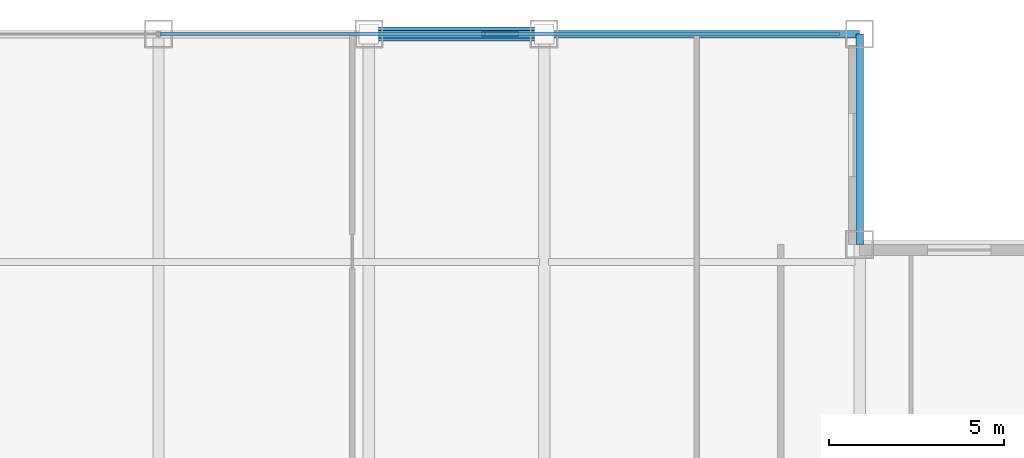
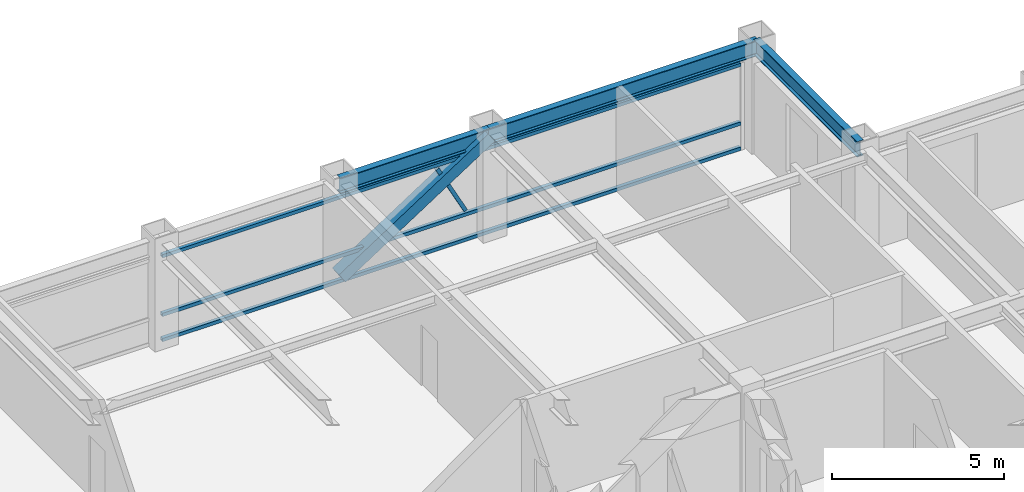
# One storey, part 21 of 28: 5 members, 3 beams, 1 element without a shape of its own.
"""IFC4 building model written with IfcOpenShell, lengths in metres."""

from ifc_helpers import new_model, si_unit, direction, frame, origin, origin_2d, place, context, subcontext, project, spatial, hollow_rectangle, i_section, extrude, source, transform, mapped, material, material_profile, profile_set, type_object, element, aggregate, save


model = new_model("IFC4")

# Units and contexts
model_context = context("Model", 3, precision=1e-05, world=origin(), true_north=direction((0.0, 1.0)))
body_context = subcontext(model_context, "Body", "Model", "MODEL_VIEW")
ifc_project = project(units=[si_unit("LENGTHUNIT", "METRE"), si_unit("AREAUNIT", "SQUARE_METRE"), si_unit("VOLUMEUNIT", "CUBIC_METRE"), si_unit("PLANEANGLEUNIT", "RADIAN"), si_unit("MASSUNIT", "GRAM", prefix="KILO")], contexts=[model_context])

# Site, building, storey
site_placement = place(None, origin())
site = spatial("IfcSite", under=ifc_project, at=site_placement, CompositionType="ELEMENT")
building_placement = place(site_placement, origin())
building = spatial("IfcBuilding", under=site, at=building_placement, Name="Khorayat Bourse Tower", CompositionType="ELEMENT")
storey_placement = place(building_placement, frame((0.0, 0.0, 330.300048828125)))
storey = spatial("IfcBuildingStorey", under=building, at=storey_placement, Name="L78", CompositionType="ELEMENT", Elevation=330.300048828125)

# Beams
ifc_material_1 = material(Name="Steel ASTM A992 Grade 50", Category="steel")
ifc_material_profile_1 = material_profile(ifc_material_1, i_section(OverallWidth=0.214111328125, OverallDepth=0.549072265625, WebThickness=0.0146484375, FlangeThickness=0.023681640625, FilletRadius=0.013916015625, at=origin_2d()), Name="W530X138")
ifc_profile_set_1 = profile_set([ifc_material_profile_1], Name="Steel ASTM A992 Grade 50")
beam_type = type_object("IfcBeamType", Name="BM-SPAN-530", PredefinedType="SPANDREL", material=ifc_profile_set_1)
shared_shape_1 = source(origin(), body_context, "Body", "SweptSolid", [
    extrude(i_section(OverallWidth=0.214111328125, OverallDepth=0.549072265625, WebThickness=0.0146484375, FlangeThickness=0.023681640625, FilletRadius=0.013916015625, at=origin_2d()), origin(), (0.0, 0.0, 1.0), 9.0),
])
beam_1_placement = place(storey_placement, frame((11.0, 26.0, 3.46533203125), z_axis=(1.0, 0.0, 0.0), x_axis=(0.0, 1.0, 0.0)))
element("IfcBeam", 1, at=beam_1_placement, inside=storey, type_object=beam_type, Name="L78 BM-SPAN-530 BM-L78-SPN-040", PredefinedType="SPANDREL", context=body_context, shape_type="MappedRepresentation", body=[
    mapped(shared_shape_1, transform((0.0, 0.0, 0.0), scale=1.0)),
])
shared_shape_2 = source(origin(), body_context, "Body", "SweptSolid", [
    extrude(i_section(OverallWidth=0.214111328125, OverallDepth=0.549072265625, WebThickness=0.0146484375, FlangeThickness=0.023681640625, FilletRadius=0.013916015625, at=origin_2d()), origin(), (0.0, 0.0, 1.0), 5.0),
])
beam_2_placement = place(storey_placement, frame((6.0, 26.0, 3.46533203125), z_axis=(1.0, 0.0, 0.0), x_axis=(0.0, 1.0, 0.0)))
element("IfcBeam", 2, at=beam_2_placement, inside=storey, type_object=beam_type, Name="L78 BM-SPAN-530 BM-L78-SPN-041", PredefinedType="SPANDREL", context=body_context, shape_type="MappedRepresentation", body=[
    mapped(shared_shape_2, transform((0.0, 0.0, 0.0), scale=1.0)),
])
shared_shape_3 = source(origin(), body_context, "Body", "SweptSolid", [
    extrude(i_section(OverallWidth=0.214111328125, OverallDepth=0.549072265625, WebThickness=0.0146484375, FlangeThickness=0.023681640625, FilletRadius=0.013916015625, at=origin_2d()), origin(), (0.0, 0.0, 1.0), 6.0),
])
beam_3_placement = place(storey_placement, frame((20.0, 20.0, 3.46533203125), z_axis=(0.0, 1.0, 0.0), x_axis=(-1.0, 0.0, 0.0)))
element("IfcBeam", 3, at=beam_3_placement, inside=storey, type_object=beam_type, Name="L78 BM-SPAN-530 BM-L78-SPN-039", PredefinedType="SPANDREL", context=body_context, shape_type="MappedRepresentation", body=[
    mapped(shared_shape_3, transform((0.0, 0.0, 0.0), scale=1.0)),
])

# Member
ifc_material_2 = material(Name="Steel EN 10025-4 S460M", Category="steel")
ifc_material_profile_2 = material_profile(ifc_material_2, hollow_rectangle(XDim=0.39990234375, YDim=0.39990234375, WallThickness=0.02197265625, at=origin_2d()), Name="HSS 400x400x22")
ifc_profile_set_2 = profile_set([ifc_material_profile_2], Name="Steel EN 10025-4 S460M")
member_type_1 = type_object("IfcMemberType", Name="MBR-TUBE-400", PredefinedType="BRACE", material=ifc_profile_set_2)
shared_shape_4 = source(origin(), body_context, "Body", "SweptSolid", [
    extrude(hollow_rectangle(XDim=0.39990234375, YDim=0.39990234375, WallThickness=0.02197265625, at=origin_2d()), origin(), (0.0, 0.0, 1.0), 5.9580078125),
])
member_1_placement = place(storey_placement, frame((6.0, 26.0, 0.25), z_axis=(0.839210474455, 0.0, 0.543806748364), x_axis=(0.0, 1.0, 0.0)))
element("IfcMember", 4, at=member_1_placement, inside=storey, type_object=member_type_1, Name="L78 Perimeter Tube Brace 04", PredefinedType="BRACE", context=body_context, shape_type="MappedRepresentation", body=[
    mapped(shared_shape_4, transform((0.0, 0.0, 0.0), scale=1.0)),
])

# Curtain wall, members
ifc_material_3 = material(Name="Aluminium EN AW-6063 T6", Category="aluminium")
curtain_wall_type = type_object("IfcCurtainWallType", Name="CW-SYS-04", PredefinedType="NOTDEFINED", material=ifc_material_3)
curtain_wall_placement = place(storey_placement, origin())
curtain_wall = element("IfcCurtainWall", 5, at=curtain_wall_placement, inside=storey, type_object=curtain_wall_type, Name="L78 Curtain Wall CW-L78-N1", PredefinedType="NOTDEFINED")
ifc_material_profile_3 = material_profile(ifc_material_3, hollow_rectangle(XDim=0.1201171875, YDim=0.1201171875, WallThickness=0.0048828125, at=origin_2d()), Name="ALU 120x120x5")
ifc_profile_set_3 = profile_set([ifc_material_profile_3], Name="Aluminium EN AW-6063 T6")
member_type_2 = type_object("IfcMemberType", Name="CWM-DIAG-120", PredefinedType="MULLION", material=ifc_profile_set_3)
shared_shape_5 = source(origin(), body_context, "Body", "SweptSolid", [
    extrude(hollow_rectangle(XDim=0.1201171875, YDim=0.1201171875, WallThickness=0.0048828125, at=origin_2d()), origin(), (0.0, 0.0, 1.0), 2.0341796875),
])
member_2_placement = place(storey_placement, frame((10.21875, 26.0, 1.08984375), z_axis=(-0.465790950955, 0.0, 0.884894790361), x_axis=(0.0, -1.0, 0.0)))
member_2 = element("IfcMember", 6, at=member_2_placement, type_object=member_type_2, Name="CW-L78-N1 Faceted Diagonal Mullion 2", PredefinedType="MULLION", context=body_context, shape_type="MappedRepresentation", body=[
    mapped(shared_shape_5, transform((0.0, 0.0, 0.0), scale=1.0)),
])
ifc_material_profile_4 = material_profile(ifc_material_3, hollow_rectangle(XDim=0.1201171875, YDim=0.1201171875, WallThickness=0.0048828125, at=origin_2d()), Name="ALU 120x120x5")
ifc_profile_set_4 = profile_set([ifc_material_profile_4], Name="Aluminium EN AW-6063 T6")
member_type_3 = type_object("IfcMemberType", Name="CWT-HORZ-120", PredefinedType="USERDEFINED", material=ifc_profile_set_4)
shared_shape_6 = source(origin(), body_context, "Body", "SweptSolid", [
    extrude(hollow_rectangle(XDim=0.1201171875, YDim=0.1201171875, WallThickness=0.0048828125, at=origin_2d()), origin(), (0.0, 0.0, 1.0), 19.369873046875),
])
member_3_placement = place(storey_placement, frame((0.06005859375, 26.0, 0.06005859375), z_axis=(1.0, 0.0, 0.0), x_axis=(0.0, 1.0, 0.0)))
member_3 = element("IfcMember", 7, at=member_3_placement, type_object=member_type_3, Name="CW-L78-N1 Horizontal Transom 2-1", ObjectType="TRANSOM", PredefinedType="USERDEFINED", context=body_context, shape_type="MappedRepresentation", body=[
    mapped(shared_shape_6, transform((0.0, 0.0, 0.0), scale=1.0)),
])
member_4_placement = place(storey_placement, frame((0.06005859375, 26.0, 0.949951171875), z_axis=(1.0, 0.0, 0.0), x_axis=(0.0, 1.0, 0.0)))
member_4 = element("IfcMember", 8, at=member_4_placement, type_object=member_type_3, Name="CW-L78-N1 Horizontal Transom 2-2", ObjectType="TRANSOM", PredefinedType="USERDEFINED", context=body_context, shape_type="MappedRepresentation", body=[
    mapped(shared_shape_6, transform((0.0, 0.0, 0.0), scale=1.0)),
])
member_5_placement = place(storey_placement, frame((0.06005859375, 26.0, 3.030029296875), z_axis=(1.0, 0.0, 0.0), x_axis=(0.0, 1.0, 0.0)))
member_5 = element("IfcMember", 9, at=member_5_placement, type_object=member_type_3, Name="CW-L78-N1 Horizontal Transom 2-3", ObjectType="TRANSOM", PredefinedType="USERDEFINED", context=body_context, shape_type="MappedRepresentation", body=[
    mapped(shared_shape_6, transform((0.0, 0.0, 0.0), scale=1.0)),
])
aggregate(curtain_wall, [member_3, member_4, member_5, member_2])

save(model, "model.ifc")
